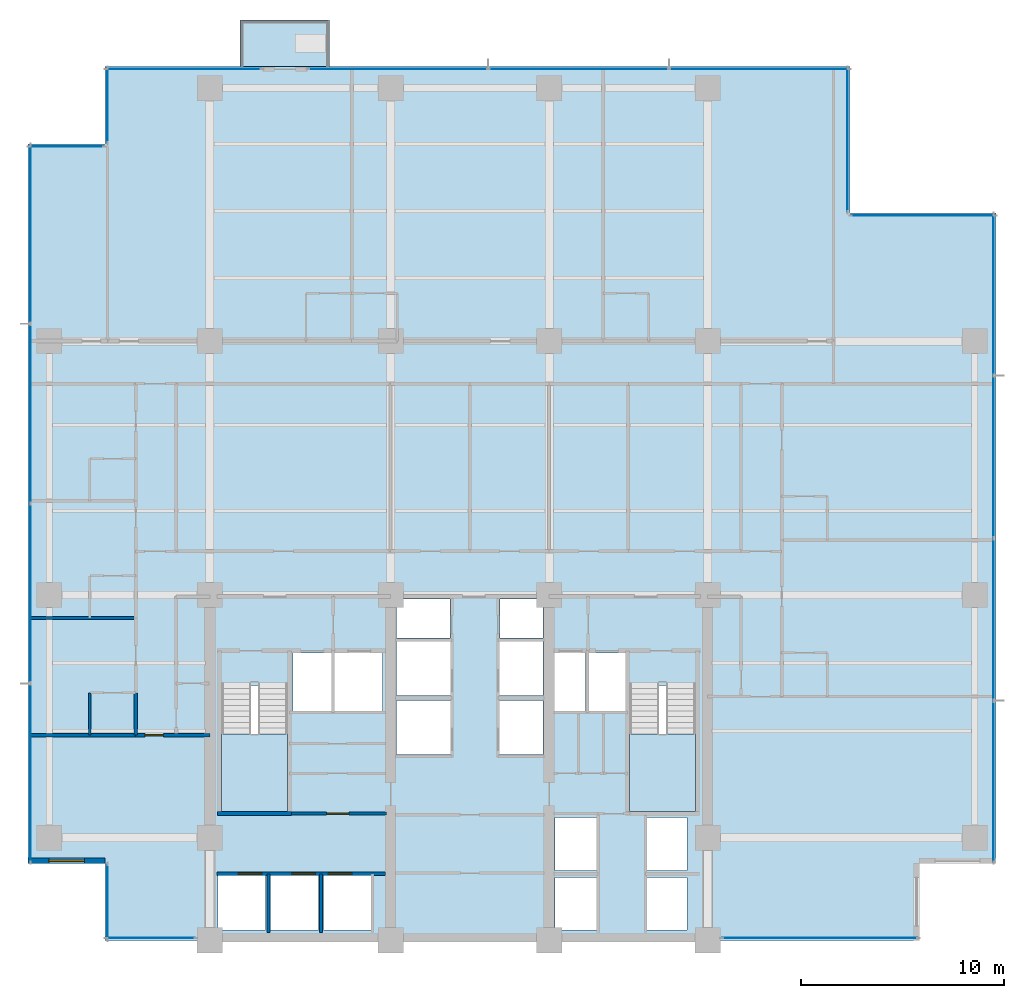
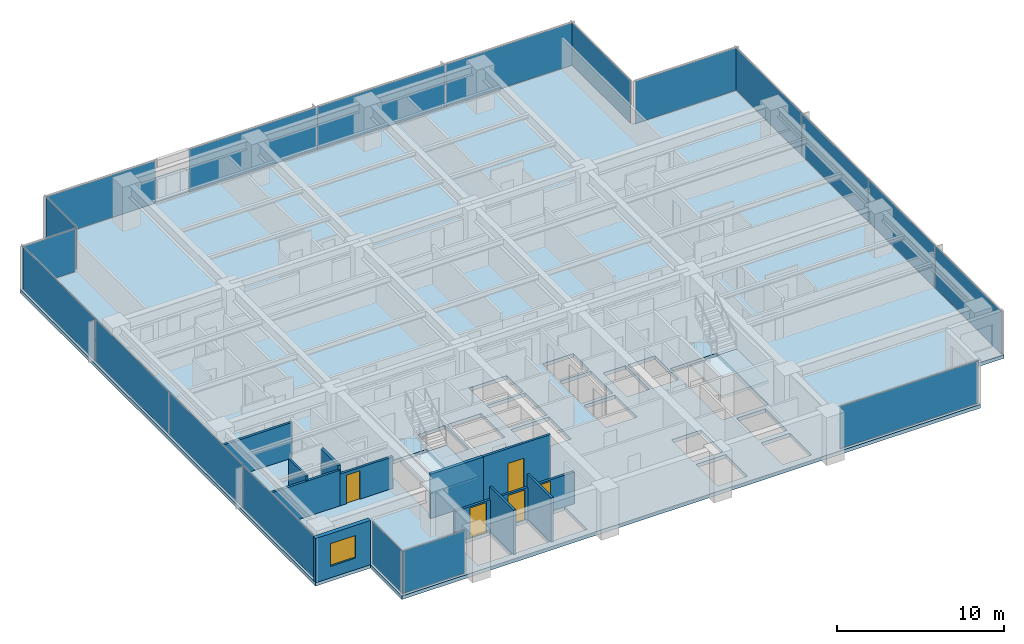
# One storey, part 7 of 17: 19 plates, 11 walls, 5 doors, 4 slabs, 1 window, 6 openings, 13 elements without a shape of their own.
"""IFC4 building model written with IfcOpenShell, lengths in metres."""

from ifc_helpers import new_model, si_unit, direction, frame, frame_2d, origin, origin_2d, place, context, subcontext, project, spatial, polyline, rectangle, outline, extrude, material, layer, layer_set, type_object, element, fill, aggregate, save


model = new_model("IFC4")

# Units and contexts
model_context = context("Model", 3, precision=1e-05, world=origin(), true_north=direction((0.0, 1.0)))
body_context = subcontext(model_context, "Body", "Model", "MODEL_VIEW")
ifc_project = project(units=[si_unit("LENGTHUNIT", "METRE"), si_unit("AREAUNIT", "SQUARE_METRE"), si_unit("VOLUMEUNIT", "CUBIC_METRE"), si_unit("PLANEANGLEUNIT", "RADIAN"), si_unit("MASSUNIT", "GRAM", prefix="KILO")], contexts=[model_context])

# Site, building, storey
site_placement = place(None, origin())
site = spatial("IfcSite", under=ifc_project, at=site_placement, CompositionType="ELEMENT")
building_placement = place(site_placement, origin())
building = spatial("IfcBuilding", under=site, at=building_placement, Name="Qalmaran Belvedere Hotel", CompositionType="ELEMENT")
storey_placement = place(building_placement, frame((0.0, 0.0, 119.699951171875)))
storey = spatial("IfcBuildingStorey", under=building, at=storey_placement, Name="L30", CompositionType="ELEMENT", Elevation=119.699951171875)

# Curtain wall, plate
ifc_material_1 = material(Name="Anodised Bronze Aluminium", Category="aluminium")
ifc_layer_1 = layer(ifc_material_1, 0.199951171875, Name="Anodised Bronze Aluminium")
ifc_layer_set_1 = layer_set([ifc_layer_1], Name="Anodised Bronze Aluminium")
curtain_wall_type = type_object("IfcCurtainWallType", Name="CW3-TOWER-LOWMID", PredefinedType="NOTDEFINED", material=ifc_layer_set_1)
curtain_wall_1_placement = place(storey_placement, origin())
curtain_wall_1 = element("IfcCurtainWall", 1, at=curtain_wall_1_placement, inside=storey, type_object=curtain_wall_type, Name="L30 Curtain Wall CW3", PredefinedType="NOTDEFINED")
ifc_material_2 = material(Name="Solar-Control Double Glazing", Category="glass")
ifc_layer_2 = layer(ifc_material_2, 0.028076171875, Name="Solar-Control Double Glazing")
ifc_layer_set_2 = layer_set([ifc_layer_2], Name="Solar-Control Double Glazing")
plate_type = type_object("IfcPlateType", Name="CWP-VISION-28", PredefinedType="CURTAIN_PANEL", material=ifc_layer_set_2)
plate_1_placement = place(storey_placement, frame((17.392578125, 3.6201171875, 0.06494140625), z_axis=(0.0, 0.0, 1.0), x_axis=(1.0, 0.0, 0.0)))
plate_1 = element("IfcPlate", 2, at=plate_1_placement, type_object=plate_type, Name="CW3 panel 1.1", PredefinedType="CURTAIN_PANEL", context=body_context, shape_type="SweptSolid", body=[
    extrude(rectangle(XDim=4.344970703125, YDim=0.028076171875, at=origin_2d()), origin(), (0.0, 0.0, 1.0), 3.110107421875),
])
aggregate(curtain_wall_1, [plate_1])

curtain_wall_2_placement = place(storey_placement, origin())
curtain_wall_2 = element("IfcCurtainWall", 3, at=curtain_wall_2_placement, inside=storey, type_object=curtain_wall_type, Name="L30 Curtain Wall CW3", PredefinedType="NOTDEFINED")
plate_2_placement = place(storey_placement, frame((50.33251953125, 3.6201171875, 0.06494140625), z_axis=(0.0, 0.0, 1.0), x_axis=(1.0, 0.0, 0.0)))
plate_2 = element("IfcPlate", 4, at=plate_2_placement, type_object=plate_type, Name="CW3 panel 1.1", PredefinedType="CURTAIN_PANEL", context=body_context, shape_type="SweptSolid", body=[
    extrude(rectangle(XDim=9.594970703125, YDim=0.028076171875, at=origin_2d()), origin(), (0.0, 0.0, 1.0), 3.110107421875),
])
aggregate(curtain_wall_2, [plate_2])

# Curtain wall, plates
curtain_wall_3_placement = place(storey_placement, origin())
curtain_wall_3 = element("IfcCurtainWall", 5, at=curtain_wall_3_placement, inside=storey, type_object=curtain_wall_type, Name="L30 Curtain Wall CW3", PredefinedType="NOTDEFINED")
plate_3_placement = place(storey_placement, frame((58.8798828125, 11.3173828125, 0.06494140625), z_axis=(0.0, 0.0, 1.0), x_axis=(0.0, 1.0, 0.0)))
plate_3 = element("IfcPlate", 6, at=plate_3_placement, type_object=plate_type, Name="CW3 panel 1.1", PredefinedType="CURTAIN_PANEL", context=body_context, shape_type="SweptSolid", body=[
    extrude(rectangle(XDim=7.89501953125, YDim=0.028076171875, at=origin_2d()), origin(), (0.0, 0.0, 1.0), 3.110107421875),
])
plate_4_placement = place(storey_placement, frame((58.8798828125, 19.300048828125, 0.06494140625), z_axis=(0.0, 0.0, 1.0), x_axis=(0.0, 1.0, 0.0)))
plate_4 = element("IfcPlate", 7, at=plate_4_placement, type_object=plate_type, Name="CW3 panel 2.1", PredefinedType="CURTAIN_PANEL", context=body_context, shape_type="SweptSolid", body=[
    extrude(rectangle(XDim=7.929931640625, YDim=0.028076171875, at=origin_2d()), origin(), (0.0, 0.0, 1.0), 3.110107421875),
])
plate_5_placement = place(storey_placement, frame((58.8798828125, 27.300048828125, 0.06494140625), z_axis=(0.0, 0.0, 1.0), x_axis=(0.0, 1.0, 0.0)))
plate_5 = element("IfcPlate", 8, at=plate_5_placement, type_object=plate_type, Name="CW3 panel 3.1", PredefinedType="CURTAIN_PANEL", context=body_context, shape_type="SweptSolid", body=[
    extrude(rectangle(XDim=7.929931640625, YDim=0.028076171875, at=origin_2d()), origin(), (0.0, 0.0, 1.0), 3.110107421875),
])
plate_6_placement = place(storey_placement, frame((58.8798828125, 35.282470703125, 0.06494140625), z_axis=(0.0, 0.0, 1.0), x_axis=(0.0, 1.0, 0.0)))
plate_6 = element("IfcPlate", 9, at=plate_6_placement, type_object=plate_type, Name="CW3 panel 4.1", PredefinedType="CURTAIN_PANEL", context=body_context, shape_type="SweptSolid", body=[
    extrude(rectangle(XDim=7.89501953125, YDim=0.028076171875, at=origin_2d()), origin(), (0.0, 0.0, 1.0), 3.110107421875),
])
aggregate(curtain_wall_3, [plate_3, plate_4, plate_5, plate_6])

# Curtain wall, plate
curtain_wall_4_placement = place(storey_placement, origin())
curtain_wall_4 = element("IfcCurtainWall", 10, at=curtain_wall_4_placement, inside=storey, type_object=curtain_wall_type, Name="L30 Curtain Wall CW3", PredefinedType="NOTDEFINED")
plate_7_placement = place(storey_placement, frame((55.39990234375, 39.179931640625, 0.06494140625), z_axis=(0.0, 0.0, 1.0), x_axis=(-1.0, 0.0, 0.0)))
plate_7 = element("IfcPlate", 11, at=plate_7_placement, type_object=plate_type, Name="CW3 panel 1.1", PredefinedType="CURTAIN_PANEL", context=body_context, shape_type="SweptSolid", body=[
    extrude(rectangle(XDim=7.06005859375, YDim=0.028076171875, at=origin_2d()), origin(), (0.0, 0.0, 1.0), 3.110107421875),
])
aggregate(curtain_wall_4, [plate_7])

curtain_wall_5_placement = place(storey_placement, origin())
curtain_wall_5 = element("IfcCurtainWall", 12, at=curtain_wall_5_placement, inside=storey, type_object=curtain_wall_type, Name="L30 Curtain Wall CW3", PredefinedType="NOTDEFINED")
plate_8_placement = place(storey_placement, frame((51.679931640625, 42.89990234375, 0.06494140625), z_axis=(0.0, 0.0, 1.0), x_axis=(0.0, 1.0, 0.0)))
plate_8 = element("IfcPlate", 13, at=plate_8_placement, type_object=plate_type, Name="CW3 panel 1.1", PredefinedType="CURTAIN_PANEL", context=body_context, shape_type="SweptSolid", body=[
    extrude(rectangle(XDim=7.06005859375, YDim=0.028076171875, at=origin_2d()), origin(), (0.0, 0.0, 1.0), 3.110107421875),
])
aggregate(curtain_wall_5, [plate_8])

curtain_wall_6_placement = place(storey_placement, origin())
curtain_wall_6 = element("IfcCurtainWall", 14, at=curtain_wall_6_placement, inside=storey, type_object=curtain_wall_type, Name="L30 Curtain Wall CW3", PredefinedType="NOTDEFINED")
plate_9_placement = place(storey_placement, frame((19.02490234375, 46.3798828125, 0.06494140625), z_axis=(0.0, 0.0, 1.0), x_axis=(-1.0, 0.0, 0.0)))
plate_9 = element("IfcPlate", 15, at=plate_9_placement, type_object=plate_type, Name="CW3 panel 1.1", PredefinedType="CURTAIN_PANEL", context=body_context, shape_type="SweptSolid", body=[
    extrude(rectangle(XDim=7.610107421875, YDim=0.028076171875, at=origin_2d()), origin(), (0.0, 0.0, 1.0), 3.110107421875),
])
aggregate(curtain_wall_6, [plate_9])

# Curtain wall, plates
curtain_wall_7_placement = place(storey_placement, origin())
curtain_wall_7 = element("IfcCurtainWall", 16, at=curtain_wall_7_placement, inside=storey, type_object=curtain_wall_type, Name="L30 Curtain Wall CW3", PredefinedType="NOTDEFINED")
plate_10_placement = place(storey_placement, frame((47.33251953125, 46.3798828125, 0.06494140625), z_axis=(0.0, 0.0, 1.0), x_axis=(-1.0, 0.0, 0.0)))
plate_10 = element("IfcPlate", 17, at=plate_10_placement, type_object=plate_type, Name="CW3 panel 1.1", PredefinedType="CURTAIN_PANEL", context=body_context, shape_type="SweptSolid", body=[
    extrude(rectangle(XDim=8.794921875, YDim=0.028076171875, at=origin_2d()), origin(), (0.0, 0.0, 1.0), 3.110107421875),
])
plate_11_placement = place(storey_placement, frame((38.449951171875, 46.3798828125, 0.06494140625), z_axis=(0.0, 0.0, 1.0), x_axis=(-1.0, 0.0, 0.0)))
plate_11 = element("IfcPlate", 18, at=plate_11_placement, type_object=plate_type, Name="CW3 panel 2.1", PredefinedType="CURTAIN_PANEL", context=body_context, shape_type="SweptSolid", body=[
    extrude(rectangle(XDim=8.830078125, YDim=0.028076171875, at=origin_2d()), origin(), (0.0, 0.0, 1.0), 3.110107421875),
])
plate_12_placement = place(storey_placement, frame((29.5673828125, 46.3798828125, 0.06494140625), z_axis=(0.0, 0.0, 1.0), x_axis=(-1.0, 0.0, 0.0)))
plate_12 = element("IfcPlate", 19, at=plate_12_placement, type_object=plate_type, Name="CW3 panel 3.1", PredefinedType="CURTAIN_PANEL", context=body_context, shape_type="SweptSolid", body=[
    extrude(rectangle(XDim=8.794921875, YDim=0.028076171875, at=origin_2d()), origin(), (0.0, 0.0, 1.0), 3.110107421875),
])
aggregate(curtain_wall_7, [plate_10, plate_11, plate_12])

# Curtain wall, plate
curtain_wall_8_placement = place(storey_placement, origin())
curtain_wall_8 = element("IfcCurtainWall", 20, at=curtain_wall_8_placement, inside=storey, type_object=curtain_wall_type, Name="L30 Curtain Wall CW3", PredefinedType="NOTDEFINED")
plate_13_placement = place(storey_placement, frame((15.27001953125, 44.60009765625, 0.06494140625), z_axis=(0.0, 0.0, 1.0), x_axis=(0.0, -1.0, 0.0)))
plate_13 = element("IfcPlate", 21, at=plate_13_placement, type_object=plate_type, Name="CW3 panel 1.1", PredefinedType="CURTAIN_PANEL", context=body_context, shape_type="SweptSolid", body=[
    extrude(rectangle(XDim=3.659912109375, YDim=0.028076171875, at=origin_2d()), origin(), (0.0, 0.0, 1.0), 3.110107421875),
])
aggregate(curtain_wall_8, [plate_13])

curtain_wall_9_placement = place(storey_placement, origin())
curtain_wall_9 = element("IfcCurtainWall", 22, at=curtain_wall_9_placement, inside=storey, type_object=curtain_wall_type, Name="L30 Curtain Wall CW3", PredefinedType="NOTDEFINED")
plate_14_placement = place(storey_placement, frame((13.25, 42.580078125, 0.06494140625), z_axis=(0.0, 0.0, 1.0), x_axis=(-1.0, 0.0, 0.0)))
plate_14 = element("IfcPlate", 23, at=plate_14_placement, type_object=plate_type, Name="CW3 panel 1.1", PredefinedType="CURTAIN_PANEL", context=body_context, shape_type="SweptSolid", body=[
    extrude(rectangle(XDim=3.659912109375, YDim=0.028076171875, at=origin_2d()), origin(), (0.0, 0.0, 1.0), 3.110107421875),
])
aggregate(curtain_wall_9, [plate_14])

# Curtain wall, plates
curtain_wall_10_placement = place(storey_placement, origin())
curtain_wall_10 = element("IfcCurtainWall", 24, at=curtain_wall_10_placement, inside=storey, type_object=curtain_wall_type, Name="L30 Curtain Wall CW3", PredefinedType="NOTDEFINED")
plate_15_placement = place(storey_placement, frame((11.469970703125, 38.257568359375, 0.06494140625), z_axis=(0.0, 0.0, 1.0), x_axis=(0.0, -1.0, 0.0)))
plate_15 = element("IfcPlate", 25, at=plate_15_placement, type_object=plate_type, Name="CW3 panel 1.1", PredefinedType="CURTAIN_PANEL", context=body_context, shape_type="SweptSolid", body=[
    extrude(rectangle(XDim=8.7451171875, YDim=0.028076171875, at=origin_2d()), origin(), (0.0, 0.0, 1.0), 3.110107421875),
])
plate_16_placement = place(storey_placement, frame((11.469970703125, 29.425048828125, 0.06494140625), z_axis=(0.0, 0.0, 1.0), x_axis=(0.0, -1.0, 0.0)))
plate_16 = element("IfcPlate", 26, at=plate_16_placement, type_object=plate_type, Name="CW3 panel 2.1", PredefinedType="CURTAIN_PANEL", context=body_context, shape_type="SweptSolid", body=[
    extrude(rectangle(XDim=8.780029296875, YDim=0.028076171875, at=origin_2d()), origin(), (0.0, 0.0, 1.0), 3.110107421875),
])
plate_17_placement = place(storey_placement, frame((11.469970703125, 20.574951171875, 0.06494140625), z_axis=(0.0, 0.0, 1.0), x_axis=(0.0, -1.0, 0.0)))
plate_17 = element("IfcPlate", 27, at=plate_17_placement, type_object=plate_type, Name="CW3 panel 3.1", PredefinedType="CURTAIN_PANEL", context=body_context, shape_type="SweptSolid", body=[
    extrude(rectangle(XDim=8.780029296875, YDim=0.028076171875, at=origin_2d()), origin(), (0.0, 0.0, 1.0), 3.110107421875),
])
plate_18_placement = place(storey_placement, frame((11.469970703125, 11.742431640625, 0.06494140625), z_axis=(0.0, 0.0, 1.0), x_axis=(0.0, -1.0, 0.0)))
plate_18 = element("IfcPlate", 28, at=plate_18_placement, type_object=plate_type, Name="CW3 panel 4.1", PredefinedType="CURTAIN_PANEL", context=body_context, shape_type="SweptSolid", body=[
    extrude(rectangle(XDim=8.7451171875, YDim=0.028076171875, at=origin_2d()), origin(), (0.0, 0.0, 1.0), 3.110107421875),
])
aggregate(curtain_wall_10, [plate_15, plate_16, plate_17, plate_18])

# Curtain wall, plate
curtain_wall_11_placement = place(storey_placement, origin())
curtain_wall_11 = element("IfcCurtainWall", 29, at=curtain_wall_11_placement, inside=storey, type_object=curtain_wall_type, Name="L30 Curtain Wall CW3", PredefinedType="NOTDEFINED")
plate_19_placement = place(storey_placement, frame((15.27001953125, 5.39990234375, 0.06494140625), z_axis=(0.0, 0.0, 1.0), x_axis=(0.0, -1.0, 0.0)))
plate_19 = element("IfcPlate", 30, at=plate_19_placement, type_object=plate_type, Name="CW3 panel 1.1", PredefinedType="CURTAIN_PANEL", context=body_context, shape_type="SweptSolid", body=[
    extrude(rectangle(XDim=3.659912109375, YDim=0.028076171875, at=origin_2d()), origin(), (0.0, 0.0, 1.0), 3.110107421875),
])
aggregate(curtain_wall_11, [plate_19])

# Slab
ifc_material_3 = material(Name="Concrete C40/50", Category="concrete")
ifc_layer_3 = layer(ifc_material_3, 0.219970703125, Name="Concrete C40/50")
ifc_layer_set_3 = layer_set([ifc_layer_3], Name="Concrete C40/50")
slab_type_1 = type_object("IfcSlabType", Name="SLB-BAL-220", PredefinedType="USERDEFINED", material=ifc_layer_set_3)
slab_1_placement = place(storey_placement, frame((0.0, 0.0, -0.219970703125)))
element("IfcSlab", 31, at=slab_1_placement, inside=storey, type_object=slab_type_1, Name="L30 Planted Tree Balcony Slab 1", ObjectType="BALCONY", PredefinedType="USERDEFINED", context=body_context, shape_type="SweptSolid", body=[
    extrude(outline(polyline([(21.800048828125, 46.5), (26.199951171875, 46.5), (26.199951171875, 48.800048828125), (21.800048828125, 48.800048828125), (21.800048828125, 46.5)])), origin(), (0.0, 0.0, 1.0), 0.219970703125),
])

# Stair, slab
stair_type_1 = type_object("IfcStairType", Name="STR-ST-1-1450-R1750", PredefinedType="HALF_TURN_STAIR", material=ifc_material_3)
stair_1_placement = place(storey_placement, origin())
stair_1 = element("IfcStair", 32, at=stair_1_placement, inside=storey, type_object=stair_type_1, Name="L30 West Core Exit Stair ST-1", PredefinedType="HALF_TURN_STAIR")
ifc_layer_4 = layer(ifc_material_3, 0.199951171875, Name="Concrete C40/50")
ifc_layer_set_4 = layer_set([ifc_layer_4], Name="Concrete C40/50")
slab_type_2 = type_object("IfcSlabType", Name="SLB-STAIR-LANDING-200", PredefinedType="LANDING", material=ifc_layer_set_4)
slab_2_placement = place(storey_placement, frame((0.0, 0.0, 1.550048828125)))
slab_2 = element("IfcSlab", 33, at=slab_2_placement, type_object=slab_type_2, Name="ST-1 landing 1", PredefinedType="LANDING", context=body_context, shape_type="SweptSolid", body=[
    extrude(outline(polyline([(20.8798828125, 13.669921875), (20.8798828125, 9.85009765625), (24.1201171875, 9.85009765625), (24.1201171875, 13.669921875), (20.8798828125, 13.669921875)])), origin(), (0.0, 0.0, 1.0), 0.199951171875),
])
aggregate(stair_1, [slab_2])

stair_type_2 = type_object("IfcStairType", Name="STR-ST-2-1450-R1750", PredefinedType="HALF_TURN_STAIR", material=ifc_material_3)
stair_2_placement = place(storey_placement, origin())
stair_2 = element("IfcStair", 34, at=stair_2_placement, inside=storey, type_object=stair_type_2, Name="L30 East Core Exit Stair ST-2", PredefinedType="HALF_TURN_STAIR")
slab_3_placement = place(storey_placement, frame((0.0, 0.0, 1.550048828125)))
slab_3 = element("IfcSlab", 35, at=slab_3_placement, type_object=slab_type_2, Name="ST-2 landing 1", PredefinedType="LANDING", context=body_context, shape_type="SweptSolid", body=[
    extrude(outline(polyline([(40.9599609375, 13.669921875), (40.9599609375, 9.85009765625), (44.199951171875, 9.85009765625), (44.199951171875, 13.669921875), (40.9599609375, 13.669921875)])), origin(), (0.0, 0.0, 1.0), 0.199951171875),
])
aggregate(stair_2, [slab_3])

# Slab
ifc_layer_5 = layer(ifc_material_3, 0.260009765625, Name="Concrete C40/50")
ifc_layer_set_5 = layer_set([ifc_layer_5], Name="Concrete C40/50")
slab_type_3 = type_object("IfcSlabType", Name="SLB-Z2-260", PredefinedType="FLOOR", material=ifc_layer_set_5)
slab_4_placement = place(storey_placement, frame((0.0, 0.0, -0.260009765625)))
element("IfcSlab", 36, at=slab_4_placement, inside=storey, type_object=slab_type_3, Name="L30 Structural Floor Slab", PredefinedType="FLOOR", context=body_context, shape_type="SweptSolid", body=[
    extrude(outline(polyline([(15.14990234375, 3.5), (55.199951171875, 3.5), (55.199951171875, 7.300048828125), (59.0, 7.300048828125), (59.0, 39.300048828125), (51.800048828125, 39.300048828125), (51.800048828125, 46.5), (15.14990234375, 46.5), (15.14990234375, 42.699951171875), (11.35009765625, 42.699951171875), (11.35009765625, 7.300048828125), (15.14990234375, 7.300048828125), (15.14990234375, 3.5)]), holes=[polyline([(20.8798828125, 9.85009765625), (24.1201171875, 9.85009765625), (24.1201171875, 16.0400390625), (20.8798828125, 16.0400390625), (20.8798828125, 9.85009765625)]), polyline([(40.9599609375, 9.85009765625), (44.199951171875, 9.85009765625), (44.199951171875, 16.0400390625), (40.9599609375, 16.0400390625), (40.9599609375, 9.85009765625)]), polyline([(29.4951171875, 12.64990234375), (32.14990234375, 12.64990234375), (32.14990234375, 15.300048828125), (29.4951171875, 15.300048828125), (29.4951171875, 12.64990234375)]), polyline([(29.4951171875, 15.550048828125), (32.14990234375, 15.550048828125), (32.14990234375, 18.199951171875), (29.4951171875, 18.199951171875), (29.4951171875, 15.550048828125)]), polyline([(34.550048828125, 12.64990234375), (36.705078125, 12.64990234375), (36.705078125, 15.300048828125), (34.550048828125, 15.300048828125), (34.550048828125, 12.64990234375)]), polyline([(34.550048828125, 15.550048828125), (36.705078125, 15.550048828125), (36.705078125, 18.199951171875), (34.550048828125, 18.199951171875), (34.550048828125, 15.550048828125)]), polyline([(37.300048828125, 4.0), (39.35009765625, 4.0), (39.35009765625, 6.60009765625), (37.300048828125, 6.60009765625), (37.300048828125, 4.0)]), polyline([(37.300048828125, 6.949951171875), (39.35009765625, 6.949951171875), (39.35009765625, 9.550048828125), (37.300048828125, 9.550048828125), (37.300048828125, 6.949951171875)]), polyline([(41.800048828125, 4.0), (43.800048828125, 4.0), (43.800048828125, 6.60009765625), (41.800048828125, 6.60009765625), (41.800048828125, 4.0)]), polyline([(41.800048828125, 6.949951171875), (43.800048828125, 6.949951171875), (43.800048828125, 9.550048828125), (41.800048828125, 9.550048828125), (41.800048828125, 6.949951171875)]), polyline([(20.699951171875, 4.0), (23.050048828125, 4.0), (23.050048828125, 6.699951171875), (20.699951171875, 6.699951171875), (20.699951171875, 4.0)]), polyline([(23.300048828125, 4.0), (25.64990234375, 4.0), (25.64990234375, 6.699951171875), (23.300048828125, 6.699951171875), (23.300048828125, 4.0)]), polyline([(25.89990234375, 4.0), (28.25, 4.0), (28.25, 6.699951171875), (25.89990234375, 6.699951171875), (25.89990234375, 4.0)]), polyline([(24.39990234375, 14.800048828125), (26.300048828125, 14.800048828125), (26.300048828125, 17.64990234375), (24.39990234375, 17.64990234375), (24.39990234375, 14.800048828125)]), polyline([(38.949951171875, 14.800048828125), (40.820068359375, 14.800048828125), (40.820068359375, 17.64990234375), (38.949951171875, 17.64990234375), (38.949951171875, 14.800048828125)]), polyline([(26.449951171875, 14.800048828125), (28.800048828125, 14.800048828125), (28.800048828125, 17.64990234375), (26.449951171875, 17.64990234375), (26.449951171875, 14.800048828125)]), polyline([(37.25, 14.800048828125), (38.800048828125, 14.800048828125), (38.800048828125, 17.64990234375), (37.25, 17.64990234375), (37.25, 14.800048828125)]), polyline([(29.4951171875, 18.3798828125), (32.1201171875, 18.3798828125), (32.1201171875, 20.300048828125), (29.4951171875, 20.300048828125), (29.4951171875, 18.3798828125)]), polyline([(34.580078125, 18.3798828125), (36.705078125, 18.3798828125), (36.705078125, 20.300048828125), (34.580078125, 20.300048828125), (34.580078125, 18.3798828125)])]), origin(), (0.0, 0.0, 1.0), 0.260009765625),
])

# Wall, opening, window
ifc_material_4 = material(Name="Anodised Bronze Cladding")
ifc_layer_6 = layer(ifc_material_4, 0.280029296875, Name="Anodised Bronze Cladding")
ifc_layer_set_6 = layer_set([ifc_layer_6], Name="Anodised Bronze Cladding")
wall_type_1 = type_object("IfcWallType", Name="WL-EXT-BRNZ-280", PredefinedType="SOLIDWALL", material=ifc_layer_set_6)
wall_1_placement = place(storey_placement, frame((11.35009765625, 7.419921875, 0.0), z_axis=(0.0, 0.0, 1.0), x_axis=(1.0, 0.0, 0.0)))
wall_1 = element("IfcWall", 37, at=wall_1_placement, inside=storey, type_object=wall_type_1, Name="L30 Corner Notch Wall 10", PredefinedType="SOLIDWALL", context=body_context, shape_type="SweptSolid", body=[
    extrude(rectangle(XDim=3.7998046875, YDim=0.280029296875, at=frame_2d((1.89990234375, 0.0))), origin(), (0.0, 0.0, 1.0), 3.239990234375),
])
opening_1_placement = place(wall_1_placement, frame((1.02490234375, 0.0, 0.85009765625)))
opening_1 = element("IfcOpeningElement", 38, at=opening_1_placement, cuts=wall_1, Name="Opening W-N17", PredefinedType="OPENING", context=body_context, shape_type="SweptSolid", body=[
    extrude(rectangle(XDim=1.75, YDim=1.64990234375, at=frame_2d((0.875, 0.824951171875))), frame((0.0, 0.14990234375, 0.0), z_axis=(0.0, -1.0, 0.0), x_axis=(1.0, 0.0, 0.0)), (0.0, 0.0, 1.0), 0.300048828125),
])
window_type = type_object("IfcWindowType", Name="WN-NTC-1750X1650", PartitioningType="SINGLE_PANEL", PredefinedType="WINDOW", material=ifc_material_2)
window_placement = place(opening_1_placement, origin())
window = element("IfcWindow", 39, at=window_placement, inside=storey, type_object=window_type, Name="L30 Corner Notch Window 10", OverallHeight=1.64990234375, OverallWidth=1.75, PartitioningType="SINGLE_PANEL", PredefinedType="WINDOW", context=body_context, shape_type="SweptSolid", body=[
    extrude(rectangle(XDim=1.75, YDim=1.64990234375, at=frame_2d((0.875, 0.824951171875))), frame((0.0, 0.030029296875, 0.0), z_axis=(0.0, -1.0, 0.0), x_axis=(1.0, 0.0, 0.0)), (0.0, 0.0, 1.0), 0.06005859375),
])
fill(opening_1, window)

# Walls
ifc_material_5 = material(Name="Moisture-Resistant Gypsum")
ifc_layer_7 = layer(ifc_material_5, 0.1201171875, Name="Moisture-Resistant Gypsum")
ifc_layer_set_7 = layer_set([ifc_layer_7], Name="Moisture-Resistant Gypsum")
wall_type_2 = type_object("IfcWallType", Name="WL-INT-120-BATH", PredefinedType="PARTITIONING", material=ifc_layer_set_7)
wall_2_placement = place(storey_placement, frame((14.39990234375, 13.60009765625, 0.0), z_axis=(0.0, 0.0, 1.0), x_axis=(0.0, 1.0, 0.0)))
element("IfcWall", 40, at=wall_2_placement, inside=storey, type_object=wall_type_2, Name="L30 Partition WL-L30-WBS00", PredefinedType="PARTITIONING", context=body_context, shape_type="SweptSolid", body=[
    extrude(rectangle(XDim=2.079833984375, YDim=0.1201171875, at=frame_2d((1.0400390625, 0.0))), origin(), (0.0, 0.0, 1.0), 2.922119140625),
])
ifc_material_6 = material(Name="Gypsum Stud Partition")
ifc_layer_8 = layer(ifc_material_6, 0.14990234375, Name="Gypsum Stud Partition")
ifc_layer_set_8 = layer_set([ifc_layer_8], Name="Gypsum Stud Partition")
wall_type_3 = type_object("IfcWallType", Name="WL-INT-150-EI120", PredefinedType="PARTITIONING", material=ifc_layer_set_8)
for number, where, z_axis, x_axis, name in (
    (41, (23.179931640625, 3.89990234375, 0.0), (0.0, 0.0, 1.0), (0.0, 1.0, 0.0), "L30 Partition WL-POM1-L30"),
    (42, (25.780029296875, 3.89990234375, 0.0), (0.0, 0.0, 1.0), (0.0, 1.0, 0.0), "L30 Partition WL-POM2-L30"),
):
    element("IfcWall", number, at=place(storey_placement, frame(where, z_axis=z_axis, x_axis=x_axis)), inside=storey, type_object=wall_type_3, Name=name, PredefinedType="PARTITIONING", context=body_context, shape_type="SweptSolid", body=[
        extrude(rectangle(XDim=2.880126953125, YDim=0.14990234375, at=frame_2d((1.43994140625, 0.0))), origin(), (0.0, 0.0, 1.0), 3.239990234375),
    ])

# Wall, openings, doors
ifc_layer_9 = layer(ifc_material_6, 0.159912109375, Name="Gypsum Stud Partition")
ifc_layer_set_9 = layer_set([ifc_layer_9], Name="Gypsum Stud Partition")
wall_type_4 = type_object("IfcWallType", Name="WL-INT-160-EI120", PredefinedType="PARTITIONING", material=ifc_layer_set_9)
wall_3_placement = place(storey_placement, frame((20.64990234375, 6.780029296875, 0.0), z_axis=(0.0, 0.0, 1.0), x_axis=(1.0, 0.0, 0.0)))
wall_3 = element("IfcWall", 43, at=wall_3_placement, inside=storey, type_object=wall_type_4, Name="L30 Partition WL-POS-L30", PredefinedType="PARTITIONING", context=body_context, shape_type="SweptSolid", body=[
    extrude(rectangle(XDim=8.300048828125, YDim=0.159912109375, at=frame_2d((4.14990234375, 0.0))), origin(), (0.0, 0.0, 1.0), 2.31298828125),
])
opening_2_placement = place(wall_3_placement, frame((3.69482421875, 0.0, 0.0)))
opening_2 = element("IfcOpeningElement", 44, at=opening_2_placement, cuts=wall_3, Name="Opening LD-PO", PredefinedType="OPENING", context=body_context, shape_type="SweptSolid", body=[
    extrude(rectangle(XDim=1.14990234375, YDim=2.199951171875, at=frame_2d((0.574951171875, 1.10009765625))), frame((0.0, 0.08984375, 0.0), z_axis=(0.0, -1.0, 0.0), x_axis=(1.0, 0.0, 0.0)), (0.0, 0.0, 1.0), 0.179931640625),
])
opening_3_placement = place(wall_3_placement, frame((5.4921875, 0.0, 0.0)))
opening_3 = element("IfcOpeningElement", 45, at=opening_3_placement, cuts=wall_3, Name="Opening LD-PO", PredefinedType="OPENING", context=body_context, shape_type="SweptSolid", body=[
    extrude(rectangle(XDim=1.14990234375, YDim=2.199951171875, at=frame_2d((0.574951171875, 1.10009765625))), frame((0.0, 0.08984375, 0.0), z_axis=(0.0, -1.0, 0.0), x_axis=(1.0, 0.0, 0.0)), (0.0, 0.0, 1.0), 0.179931640625),
])
opening_4_placement = place(wall_3_placement, frame((1.058837890625, 0.0, 0.0)))
opening_4 = element("IfcOpeningElement", 46, at=opening_4_placement, cuts=wall_3, Name="Opening LD-PO", PredefinedType="OPENING", context=body_context, shape_type="SweptSolid", body=[
    extrude(rectangle(XDim=1.14990234375, YDim=2.199951171875, at=frame_2d((0.574951171875, 1.10009765625))), frame((0.0, 0.08984375, 0.0), z_axis=(0.0, -1.0, 0.0), x_axis=(1.0, 0.0, 0.0)), (0.0, 0.0, 1.0), 0.179931640625),
])
door_type_1 = type_object("IfcDoorType", Name="DR-LIFT-PO-1150X2200", OperationType="DOUBLE_DOOR_SLIDING", PredefinedType="DOOR", material=ifc_material_1)
door_1_placement = place(opening_2_placement, origin())
door_1 = element("IfcDoor", 47, at=door_1_placement, inside=storey, type_object=door_type_1, Name="L30 PO1 Shuttle Landing Door", OperationType="DOUBLE_DOOR_SLIDING", OverallHeight=2.199951171875, OverallWidth=1.14990234375, PredefinedType="DOOR", context=body_context, shape_type="SweptSolid", body=[
    extrude(rectangle(XDim=1.14990234375, YDim=2.199951171875, at=frame_2d((0.574951171875, 1.10009765625))), frame((0.0, 0.02490234375, 0.0), z_axis=(0.0, -1.0, 0.0), x_axis=(1.0, 0.0, 0.0)), (0.0, 0.0, 1.0), 0.050048828125),
])
fill(opening_2, door_1)
door_2_placement = place(opening_3_placement, origin())
door_2 = element("IfcDoor", 48, at=door_2_placement, inside=storey, type_object=door_type_1, Name="L30 PO2 Shuttle Landing Door", OperationType="DOUBLE_DOOR_SLIDING", OverallHeight=2.199951171875, OverallWidth=1.14990234375, PredefinedType="DOOR", context=body_context, shape_type="SweptSolid", body=[
    extrude(rectangle(XDim=1.14990234375, YDim=2.199951171875, at=frame_2d((0.574951171875, 1.10009765625))), frame((0.0, 0.02490234375, 0.0), z_axis=(0.0, -1.0, 0.0), x_axis=(1.0, 0.0, 0.0)), (0.0, 0.0, 1.0), 0.050048828125),
])
fill(opening_3, door_2)
door_3_placement = place(opening_4_placement, origin())
door_3 = element("IfcDoor", 49, at=door_3_placement, inside=storey, type_object=door_type_1, Name="L30 PO3 Shuttle Landing Door", OperationType="DOUBLE_DOOR_SLIDING", OverallHeight=2.199951171875, OverallWidth=1.14990234375, PredefinedType="DOOR", context=body_context, shape_type="SweptSolid", body=[
    extrude(rectangle(XDim=1.14990234375, YDim=2.199951171875, at=frame_2d((0.574951171875, 1.10009765625))), frame((0.0, 0.02490234375, 0.0), z_axis=(0.0, -1.0, 0.0), x_axis=(1.0, 0.0, 0.0)), (0.0, 0.0, 1.0), 0.050048828125),
])
fill(opening_4, door_3)

# Wall, opening, door
wall_4_placement = place(storey_placement, frame((24.199951171875, 9.739990234375, 0.0), z_axis=(0.0, 0.0, 1.0), x_axis=(1.0, 0.0, 0.0)))
wall_4 = element("IfcWall", 50, at=wall_4_placement, inside=storey, type_object=wall_type_4, Name="L30 Partition WL-PON-L30", PredefinedType="PARTITIONING", context=body_context, shape_type="SweptSolid", body=[
    extrude(rectangle(XDim=4.800048828125, YDim=0.159912109375, at=frame_2d((2.39990234375, 0.0))), origin(), (0.0, 0.0, 1.0), 3.239990234375),
])
opening_5_placement = place(wall_4_placement, frame((1.85009765625, 0.0, 0.0)))
opening_5 = element("IfcOpeningElement", 51, at=opening_5_placement, cuts=wall_4, Name="Opening FD90", PredefinedType="OPENING", context=body_context, shape_type="SweptSolid", body=[
    extrude(rectangle(XDim=1.10009765625, YDim=2.14990234375, at=frame_2d((0.550048828125, 1.074951171875))), frame((0.0, 0.08984375, 0.0), z_axis=(0.0, -1.0, 0.0), x_axis=(1.0, 0.0, 0.0)), (0.0, 0.0, 1.0), 0.179931640625),
])
ifc_material_7 = material(Name="Steel S355JR", Category="steel")
door_type_2 = type_object("IfcDoorType", Name="DR-FD90-1100X2150", OperationType="NOTDEFINED", PredefinedType="DOOR", material=ifc_material_7)
door_4_placement = place(opening_5_placement, origin())
door_4 = element("IfcDoor", 52, at=door_4_placement, inside=storey, type_object=door_type_2, Name="L30 Shuttle Lobby Passage Door", OperationType="SINGLE_SWING_RIGHT", OverallHeight=2.14990234375, OverallWidth=1.10009765625, PredefinedType="DOOR", context=body_context, shape_type="SweptSolid", body=[
    extrude(rectangle(XDim=1.10009765625, YDim=2.14990234375, at=frame_2d((0.550048828125, 1.074951171875))), frame((0.0, 0.02490234375, 0.0), z_axis=(0.0, -1.0, 0.0), x_axis=(1.0, 0.0, 0.0)), (0.0, 0.0, 1.0), 0.050048828125),
])
fill(opening_5, door_4)

ifc_layer_10 = layer(ifc_material_6, 0.159912109375, Name="Gypsum Stud Partition")
ifc_layer_set_10 = layer_set([ifc_layer_10], Name="Gypsum Stud Partition")
wall_type_5 = type_object("IfcWallType", Name="WL-INT-160-EI60", PredefinedType="PARTITIONING", material=ifc_layer_set_10)
wall_5_placement = place(storey_placement, frame((16.64990234375, 13.60009765625, 0.0), z_axis=(0.0, 0.0, 1.0), x_axis=(1.0, 0.0, 0.0)))
wall_5 = element("IfcWall", 53, at=wall_5_placement, inside=storey, type_object=wall_type_5, Name="L30 Partition WL-L30-SWRL", PredefinedType="PARTITIONING", context=body_context, shape_type="SweptSolid", body=[
    extrude(rectangle(XDim=3.650146484375, YDim=0.159912109375, at=frame_2d((1.8251953125, 0.0))), origin(), (0.0, 0.0, 1.0), 2.31298828125),
])
opening_6_placement = place(wall_5_placement, frame((1.369873046875, 0.0, 0.0), z_axis=(0.0, 0.0, 1.0), x_axis=(-1.0, 0.0, 0.0)))
opening_6 = element("IfcOpeningElement", 54, at=opening_6_placement, cuts=wall_5, Name="Opening FD60S1", PredefinedType="OPENING", context=body_context, shape_type="SweptSolid", body=[
    extrude(rectangle(XDim=0.919921875, YDim=2.080078125, at=frame_2d((0.4599609375, 1.0400390625))), frame((0.0, 0.08984375, 0.0), z_axis=(0.0, -1.0, 0.0), x_axis=(1.0, 0.0, 0.0)), (0.0, 0.0, 1.0), 0.179931640625),
])
ifc_material_8 = material(Name="Engineered Oak Veneer")
door_type_3 = type_object("IfcDoorType", Name="DR-FD60S-920X2080", OperationType="NOTDEFINED", PredefinedType="DOOR", material=ifc_material_8)
door_5_placement = place(opening_6_placement, origin())
door_5 = element("IfcDoor", 55, at=door_5_placement, inside=storey, type_object=door_type_3, Name="L30 SW Lounge Door", OperationType="SINGLE_SWING_RIGHT", OverallHeight=2.080078125, OverallWidth=0.919921875, PredefinedType="DOOR", context=body_context, shape_type="SweptSolid", body=[
    extrude(rectangle(XDim=0.919921875, YDim=2.080078125, at=frame_2d((0.4599609375, 1.0400390625))), frame((0.0, 0.02490234375, 0.0), z_axis=(0.0, -1.0, 0.0), x_axis=(1.0, 0.0, 0.0)), (0.0, 0.0, 1.0), 0.050048828125),
])
fill(opening_6, door_5)

# Walls
for number, where, z_axis, x_axis, name in (
    (56, (11.469970703125, 13.60009765625, 0.0), (0.0, 0.0, 1.0), (1.0, 0.0, 0.0), "L30 Partition WL-L30-WBOT"),
    (57, (11.469970703125, 19.36669921875, 0.0), (0.0, 0.0, 1.0), (1.0, 0.0, 0.0), "L30 Partition WL-L30-WU00"),
):
    element("IfcWall", number, at=place(storey_placement, frame(where, z_axis=z_axis, x_axis=x_axis)), inside=storey, type_object=wall_type_5, Name=name, PredefinedType="PARTITIONING", context=body_context, shape_type="SweptSolid", body=[
        extrude(rectangle(XDim=5.179931640625, YDim=0.159912109375, at=frame_2d((2.58984375, 0.0))), origin(), (0.0, 0.0, 1.0), 2.60302734375),
    ])
ifc_layer_11 = layer(ifc_material_6, 0.179931640625, Name="Gypsum Stud Partition")
ifc_layer_set_11 = layer_set([ifc_layer_11], Name="Gypsum Stud Partition")
wall_type_6 = type_object("IfcWallType", Name="WL-INT-180-EI60", PredefinedType="PARTITIONING", material=ifc_layer_set_11)
wall_6_placement = place(storey_placement, frame((16.64990234375, 13.60009765625, 0.0), z_axis=(0.0, 0.0, 1.0), x_axis=(0.0, 1.0, 0.0)))
element("IfcWall", 58, at=wall_6_placement, inside=storey, type_object=wall_type_6, Name="L30 Partition WL-L30-WBC00", PredefinedType="PARTITIONING", context=body_context, shape_type="SweptSolid", body=[
    extrude(rectangle(XDim=2.079833984375, YDim=0.179931640625, at=frame_2d((1.0400390625, 0.0))), origin(), (0.0, 0.0, 1.0), 2.922119140625),
])
ifc_material_9 = material(Name="Concrete C50/60", Category="concrete")
ifc_layer_12 = layer(ifc_material_9, 0.2099609375, Name="Concrete C50/60")
ifc_layer_set_12 = layer_set([ifc_layer_12], Name="Concrete C50/60")
wall_type_7 = type_object("IfcWallType", Name="WL-STAIR-210-C50", PredefinedType="SHEAR", material=ifc_layer_set_12)
wall_7_placement = place(storey_placement, frame((20.669921875, 9.7451171875, 0.0), z_axis=(0.0, 0.0, 1.0), x_axis=(1.0, 0.0, 0.0)))
element("IfcWall", 59, at=wall_7_placement, inside=storey, type_object=wall_type_7, Name="L30 Stair ST-1 South Bearing Wall", PredefinedType="SHEAR", context=body_context, shape_type="SweptSolid", body=[
    extrude(rectangle(XDim=3.66015625, YDim=0.2099609375, at=frame_2d((1.830078125, 0.0))), origin(), (0.0, 0.0, 1.0), 3.239990234375),
])

save(model, "model.ifc")
